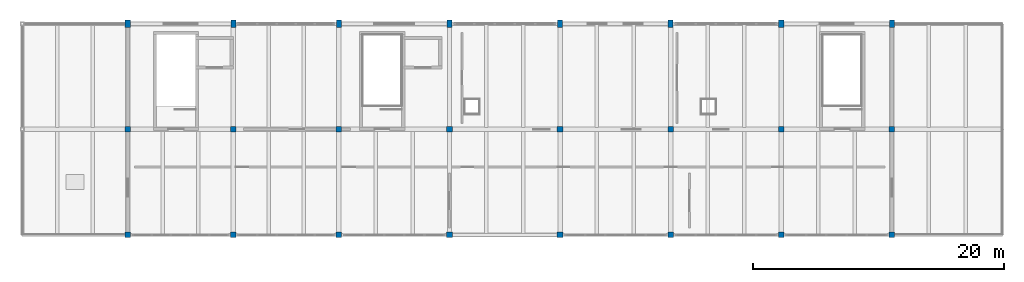
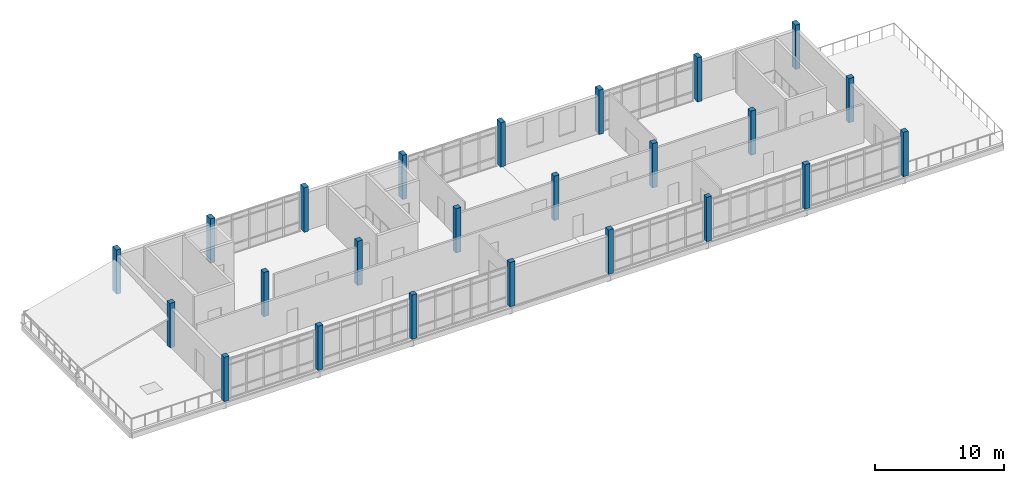
# One storey, part 1 of 13: 24 columns.
"""IFC4 building model written with IfcOpenShell, lengths in metres."""

from ifc_helpers import new_model, si_unit, direction, frame, origin, origin_2d, place, context, subcontext, project, spatial, rectangle, extrude, material, material_profile, profile_set, type_object, element, save


model = new_model("IFC4")

# Units and contexts
model_context = context("Model", 3, precision=1e-05, world=origin(), true_north=direction((0.0, 1.0)))
body_context = subcontext(model_context, "Body", "Model", "MODEL_VIEW")
ifc_project = project(units=[si_unit("LENGTHUNIT", "METRE"), si_unit("AREAUNIT", "SQUARE_METRE"), si_unit("VOLUMEUNIT", "CUBIC_METRE"), si_unit("PLANEANGLEUNIT", "RADIAN"), si_unit("MASSUNIT", "GRAM", prefix="KILO")], contexts=[model_context])

# Site, building, storey
site_placement = place(None, origin())
site = spatial("IfcSite", under=ifc_project, at=site_placement, CompositionType="ELEMENT")
building_placement = place(site_placement, origin())
building = spatial("IfcBuilding", under=site, at=building_placement, Name="Cinderway Yard Community Centre", CompositionType="ELEMENT")
storey_placement = place(building_placement, frame((0.0, 0.0, 20.10009765625)))
storey = spatial("IfcBuildingStorey", under=building, at=storey_placement, Name="L05", CompositionType="ELEMENT", Elevation=20.10009765625)

# Columns
ifc_material = material(Name="Concrete C40/50", Category="concrete")
ifc_material_profile_1 = material_profile(ifc_material, rectangle(XDim=0.39990234375, YDim=0.60009765625, at=origin_2d()), Name="Concrete C40/50")
ifc_profile_set_1 = profile_set([ifc_material_profile_1], Name="Concrete C40/50")
column_type_1 = type_object("IfcColumnType", Name="STR-COL-RC400X600", PredefinedType="COLUMN", material=ifc_profile_set_1)
for number, where, z_axis, x_axis, name in (
    (1, (58.39990234375, 115.199951171875, 0.0), (0.0, 0.0, 1.0), (1.0, 0.0, 0.0), "Column V4-C-03-4 L05"),
    (2, (66.800048828125, 115.199951171875, 0.0), (0.0, 0.0, 1.0), (1.0, 0.0, 0.0), "Column V4-C-04-4 L05"),
    (3, (75.199951171875, 115.199951171875, 0.0), (0.0, 0.0, 1.0), (1.0, 0.0, 0.0), "Column V4-C-05-4 L05"),
    (4, (84.0, 115.199951171875, 0.0), (0.0, 0.0, 1.0), (1.0, 0.0, 0.0), "Column V4-C-06-4 L05"),
    (5, (92.800048828125, 115.199951171875, 0.0), (0.0, 0.0, 1.0), (1.0, 0.0, 0.0), "Column V4-C-07-4 L05"),
    (6, (101.60009765625, 115.199951171875, 0.0), (0.0, 0.0, 1.0), (1.0, 0.0, 0.0), "Column V4-C-08-4 L05"),
    (7, (110.39990234375, 115.199951171875, 0.0), (0.0, 0.0, 1.0), (1.0, 0.0, 0.0), "Column V4-C-09-4 L05"),
    (8, (119.199951171875, 115.199951171875, 0.0), (0.0, 0.0, 1.0), (1.0, 0.0, 0.0), "Column V4-C-10-4 L05"),
):
    element("IfcColumn", number, at=place(storey_placement, frame(where, z_axis=z_axis, x_axis=x_axis)), inside=storey, type_object=column_type_1, Name=name, PredefinedType="COLUMN", context=body_context, shape_type="SweptSolid", body=[
        extrude(rectangle(XDim=0.39990234375, YDim=0.60009765625, at=origin_2d()), origin(), (0.0, 0.0, 1.0), 4.199951171875),
    ])
ifc_material_profile_2 = material_profile(ifc_material, rectangle(XDim=0.449951171875, YDim=0.449951171875, at=origin_2d()), Name="Concrete C40/50")
ifc_profile_set_2 = profile_set([ifc_material_profile_2], Name="Concrete C40/50")
column_type_2 = type_object("IfcColumnType", Name="STR-COL-RC450", PredefinedType="COLUMN", material=ifc_profile_set_2)
for number, where, z_axis, x_axis, name in (
    (9, (58.39990234375, 98.39990234375, 0.0), (0.0, 0.0, 1.0), (1.0, 0.0, 0.0), "Column V4-C-03-2 L05"),
    (10, (58.39990234375, 106.800048828125, 0.0), (0.0, 0.0, 1.0), (1.0, 0.0, 0.0), "Column V4-C-03-3 L05"),
    (11, (66.800048828125, 98.39990234375, 0.0), (0.0, 0.0, 1.0), (1.0, 0.0, 0.0), "Column V4-C-04-2 L05"),
    (12, (66.800048828125, 106.800048828125, 0.0), (0.0, 0.0, 1.0), (1.0, 0.0, 0.0), "Column V4-C-04-3 L05"),
    (13, (75.199951171875, 98.39990234375, 0.0), (0.0, 0.0, 1.0), (1.0, 0.0, 0.0), "Column V4-C-05-2 L05"),
    (14, (75.199951171875, 106.800048828125, 0.0), (0.0, 0.0, 1.0), (1.0, 0.0, 0.0), "Column V4-C-05-3 L05"),
    (15, (84.0, 98.39990234375, 0.0), (0.0, 0.0, 1.0), (1.0, 0.0, 0.0), "Column V4-C-06-2 L05"),
    (16, (84.0, 106.800048828125, 0.0), (0.0, 0.0, 1.0), (1.0, 0.0, 0.0), "Column V4-C-06-3 L05"),
    (17, (92.800048828125, 98.39990234375, 0.0), (0.0, 0.0, 1.0), (1.0, 0.0, 0.0), "Column V4-C-07-2 L05"),
    (18, (92.800048828125, 106.800048828125, 0.0), (0.0, 0.0, 1.0), (1.0, 0.0, 0.0), "Column V4-C-07-3 L05"),
    (19, (101.60009765625, 98.39990234375, 0.0), (0.0, 0.0, 1.0), (1.0, 0.0, 0.0), "Column V4-C-08-2 L05"),
    (20, (101.60009765625, 106.800048828125, 0.0), (0.0, 0.0, 1.0), (1.0, 0.0, 0.0), "Column V4-C-08-3 L05"),
    (21, (110.39990234375, 98.39990234375, 0.0), (0.0, 0.0, 1.0), (1.0, 0.0, 0.0), "Column V4-C-09-2 L05"),
    (22, (110.39990234375, 106.800048828125, 0.0), (0.0, 0.0, 1.0), (1.0, 0.0, 0.0), "Column V4-C-09-3 L05"),
    (23, (119.199951171875, 98.39990234375, 0.0), (0.0, 0.0, 1.0), (1.0, 0.0, 0.0), "Column V4-C-10-2 L05"),
    (24, (119.199951171875, 106.800048828125, 0.0), (0.0, 0.0, 1.0), (1.0, 0.0, 0.0), "Column V4-C-10-3 L05"),
):
    element("IfcColumn", number, at=place(storey_placement, frame(where, z_axis=z_axis, x_axis=x_axis)), inside=storey, type_object=column_type_2, Name=name, PredefinedType="COLUMN", context=body_context, shape_type="SweptSolid", body=[
        extrude(rectangle(XDim=0.449951171875, YDim=0.449951171875, at=origin_2d()), origin(), (0.0, 0.0, 1.0), 4.199951171875),
    ])

save(model, "model.ifc")
